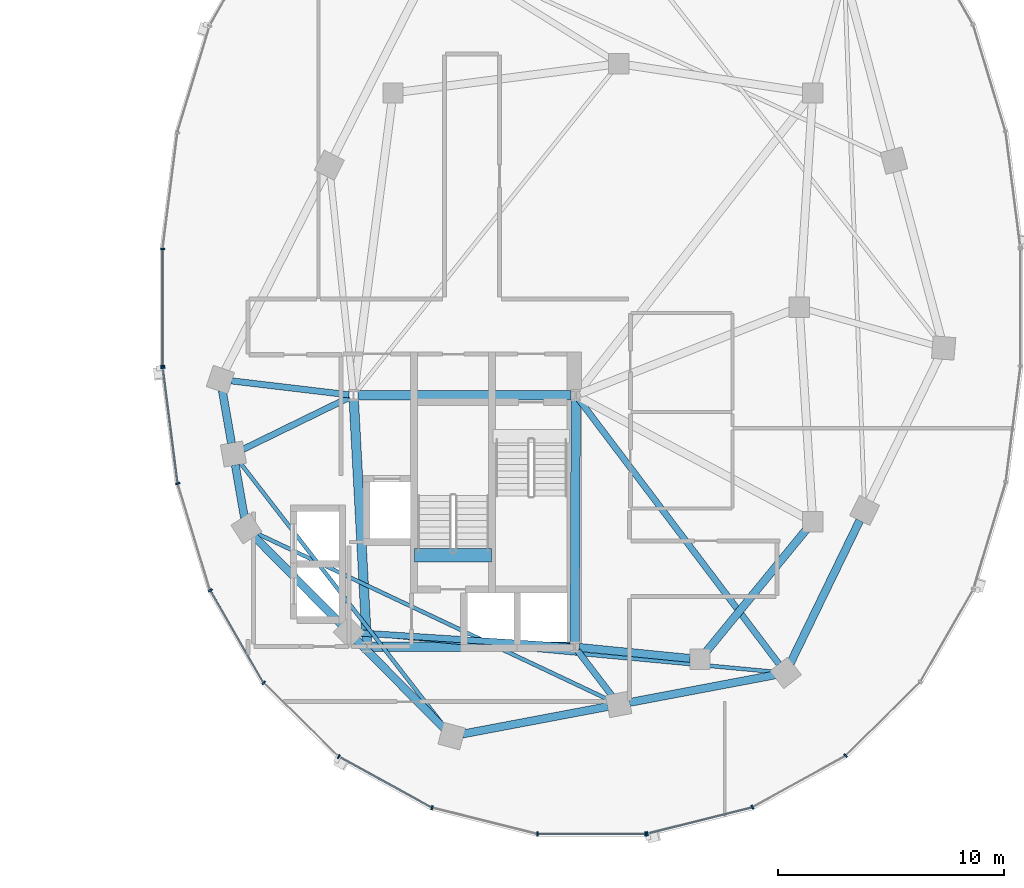
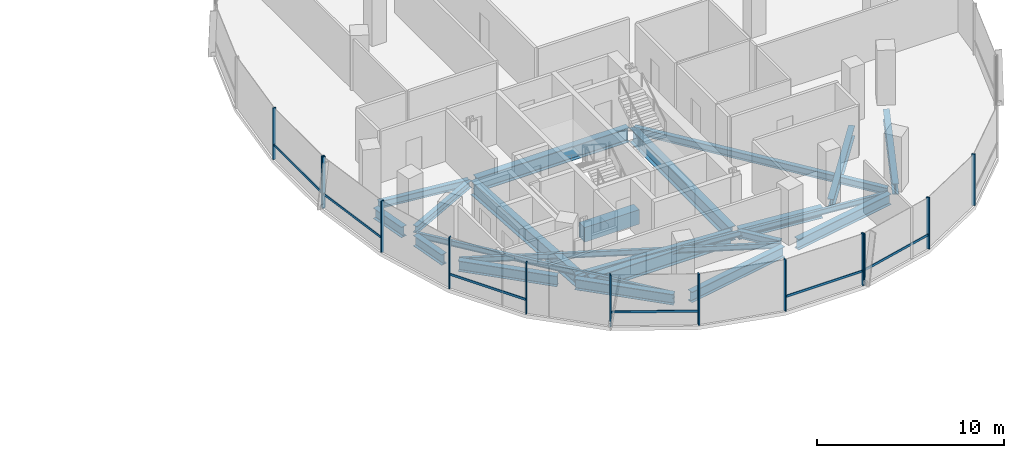
# One storey, part 6 of 22: 22 beams, 19 members, 3 elements without a shape of their own.
"""IFC4 building model written with IfcOpenShell, lengths in metres."""

from ifc_helpers import new_model, si_unit, direction, frame, origin, origin_2d, place, context, subcontext, project, spatial, rectangle, i_section, extrude, material, material_profile, profile_set, type_object, element, aggregate, save


model = new_model("IFC4")

# Units and contexts
model_context = context("Model", 3, precision=1e-05, world=origin(), true_north=direction((0.0, 1.0)))
body_context = subcontext(model_context, "Body", "Model", "MODEL_VIEW")
ifc_project = project(units=[si_unit("LENGTHUNIT", "METRE"), si_unit("AREAUNIT", "SQUARE_METRE"), si_unit("VOLUMEUNIT", "CUBIC_METRE"), si_unit("PLANEANGLEUNIT", "RADIAN"), si_unit("MASSUNIT", "GRAM", prefix="KILO"), si_unit("THERMODYNAMICTEMPERATUREUNIT", "KELVIN"), si_unit("POWERUNIT", "WATT")], contexts=[model_context])

# Site, building, storey
site_placement = place(None, origin())
site = spatial("IfcSite", under=ifc_project, at=site_placement, CompositionType="ELEMENT")
building_placement = place(site_placement, origin())
building = spatial("IfcBuilding", under=site, at=building_placement, Name="Cundina Bronze Exchange", CompositionType="ELEMENT")
storey_placement = place(building_placement, frame((0.0, 0.0, 144.0)))
storey = spatial("IfcBuildingStorey", under=building, at=storey_placement, Name="L37", CompositionType="ELEMENT", Elevation=144.0)

# Beams
ifc_material_1 = material(Name="Concrete C60/75", Category="concrete")
ifc_material_profile_1 = material_profile(ifc_material_1, rectangle(XDim=0.60009765625, YDim=0.949951171875, at=origin_2d()), Name="RC600X950", Category="concrete")
ifc_profile_set_1 = profile_set([ifc_material_profile_1], Name="Concrete C60/75")
beam_type_1 = type_object("IfcBeamType", Name="BM-COUP-RC950", PredefinedType="LINTEL", material=ifc_profile_set_1)
beam_1_placement = place(storey_placement, frame((24.159912109375, -10.97998046875, -0.47509765625), z_axis=(1.0, 0.0, 0.0), x_axis=(0.0, 1.0, 0.0)))
element("IfcBeam", 1, at=beam_1_placement, inside=storey, type_object=beam_type_1, Name="L37 Stair E2 Landing Header Beam", PredefinedType="LINTEL", context=body_context, shape_type="SweptSolid", body=[
    extrude(rectangle(XDim=0.60009765625, YDim=0.949951171875, at=origin_2d()), origin(), (0.0, 0.0, 1.0), 3.400146484375),
])
ifc_material_2 = material(Name="Steel ASTM A992 Grade 50", Category="steel")
ifc_material_profile_2 = material_profile(ifc_material_2, i_section(OverallWidth=0.280029296875, OverallDepth=0.462890625, WebThickness=0.0107421875, FlangeThickness=0.017333984375, FilletRadius=0.011962890625, at=origin_2d()), Name="W18X76", Category="steel")
ifc_profile_set_2 = profile_set([ifc_material_profile_2], Name="Steel ASTM A992 Grade 50")
beam_type_2 = type_object("IfcBeamType", Name="BM-FLR-W18A", PredefinedType="BEAM", material=ifc_profile_set_2)
beam_2_placement = place(storey_placement, frame((21.247314453125, -3.8759765625, -0.471435546875), z_axis=(-0.993036158382, 0.11780996624, 0.0), x_axis=(-0.11780996624, -0.993036158382, 0.0)))
element("IfcBeam", 2, at=beam_2_placement, inside=storey, type_object=beam_type_2, Name="L37 Leg E Chordal Floor Beam 00", PredefinedType="BEAM", context=body_context, shape_type="SweptSolid", body=[
    extrude(i_section(OverallWidth=0.280029296875, OverallDepth=0.462890625, WebThickness=0.0107421875, FlangeThickness=0.017333984375, FilletRadius=0.011962890625, at=origin_2d()), origin(), (0.0, 0.0, 1.0), 5.249267578125),
])
beam_3_placement = place(storey_placement, frame((21.2666015625, -3.989501953125, -0.471435546875), z_axis=(-0.898604300669, -0.438759969481, 0.0), x_axis=(0.438759969481, -0.898604300669, 0.0)))
element("IfcBeam", 3, at=beam_3_placement, inside=storey, type_object=beam_type_2, Name="L37 Leg E Chordal Floor Beam 01", PredefinedType="BEAM", context=body_context, shape_type="SweptSolid", body=[
    extrude(i_section(OverallWidth=0.280029296875, OverallDepth=0.462890625, WebThickness=0.0107421875, FlangeThickness=0.017333984375, FilletRadius=0.011962890625, at=origin_2d()), origin(), (0.0, 0.0, 1.0), 5.23388671875),
])
beam_4_placement = place(storey_placement, frame((31.04638671875, -15.036865234375, -0.471435546875), z_axis=(-0.99789334888, 0.064875760192, 0.0), x_axis=(-0.064875760192, -0.99789334888, 0.0)))
element("IfcBeam", 4, at=beam_4_placement, inside=storey, type_object=beam_type_2, Name="L37 Leg E Chordal Floor Beam 03", PredefinedType="BEAM", context=body_context, shape_type="SweptSolid", body=[
    extrude(i_section(OverallWidth=0.280029296875, OverallDepth=0.462890625, WebThickness=0.0107421875, FlangeThickness=0.017333984375, FilletRadius=0.011962890625, at=origin_2d()), origin(), (0.0, 0.0, 1.0), 9.328857421875),
])
beam_5_placement = place(storey_placement, frame((31.373779296875, -15.2119140625, -0.471435546875), z_axis=(0.607450107571, -0.794357832977, 0.0), x_axis=(0.794357832977, 0.607450107571, 0.0)))
element("IfcBeam", 5, at=beam_5_placement, inside=storey, type_object=beam_type_2, Name="L37 Leg E Chordal Floor Beam 05", PredefinedType="BEAM", context=body_context, shape_type="SweptSolid", body=[
    extrude(i_section(OverallWidth=0.280029296875, OverallDepth=0.462890625, WebThickness=0.0107421875, FlangeThickness=0.017333984375, FilletRadius=0.011962890625, at=origin_2d()), origin(), (0.0, 0.0, 1.0), 2.518310546875),
])
beam_6_placement = place(storey_placement, frame((31.423095703125, -4.062744140625, -0.471435546875), z_axis=(0.603103901721, -0.797662637792, 0.0), x_axis=(0.797662637792, 0.603103901721, 0.0)))
element("IfcBeam", 6, at=beam_6_placement, inside=storey, type_object=beam_type_2, Name="L37 Leg E Chordal Floor Beam 06", PredefinedType="BEAM", context=body_context, shape_type="SweptSolid", body=[
    extrude(i_section(OverallWidth=0.280029296875, OverallDepth=0.462890625, WebThickness=0.0107421875, FlangeThickness=0.017333984375, FilletRadius=0.011962890625, at=origin_2d()), origin(), (0.0, 0.0, 1.0), 14.72802734375),
])
ifc_material_profile_3 = material_profile(ifc_material_2, i_section(OverallWidth=0.172119140625, OverallDepth=0.35791015625, WebThickness=0.0078125, FlangeThickness=0.01318359375, FilletRadius=0.010009765625, at=origin_2d()), Name="W14X38", Category="steel")
ifc_profile_set_3 = profile_set([ifc_material_profile_3], Name="Steel ASTM A992 Grade 50")
beam_type_3 = type_object("IfcBeamType", Name="BM-JST-W14", PredefinedType="JOIST", material=ifc_profile_set_3)
beam_7_placement = place(storey_placement, frame((16.423583984375, -6.885986328125, -0.4189453125), z_axis=(0.61208354334, -0.790793105668, 0.0), x_axis=(0.790793105668, 0.61208354334, 0.0)))
element("IfcBeam", 7, at=beam_7_placement, inside=storey, type_object=beam_type_3, Name="L37 Leg E Lobe Floor Joist 01-04", PredefinedType="JOIST", context=body_context, shape_type="SweptSolid", body=[
    extrude(i_section(OverallWidth=0.172119140625, OverallDepth=0.35791015625, WebThickness=0.0078125, FlangeThickness=0.01318359375, FilletRadius=0.010009765625, at=origin_2d()), origin(), (0.0, 0.0, 1.0), 14.830810546875),
])
beam_8_placement = place(storey_placement, frame((17.14111328125, -10.008544921875, -0.4189453125), z_axis=(0.904074252188, -0.427375416385, 0.0), x_axis=(0.427375416385, 0.904074252188, 0.0)))
element("IfcBeam", 8, at=beam_8_placement, inside=storey, type_object=beam_type_3, Name="L37 Leg E Lobe Floor Joist 02-05", PredefinedType="JOIST", context=body_context, shape_type="SweptSolid", body=[
    extrude(i_section(OverallWidth=0.172119140625, OverallDepth=0.35791015625, WebThickness=0.0078125, FlangeThickness=0.01318359375, FilletRadius=0.010009765625, at=origin_2d()), origin(), (0.0, 0.0, 1.0), 17.274658203125),
])
beam_9_placement = place(storey_placement, frame((21.73583984375, -14.4453125, -0.4189453125), z_axis=(0.995701840093, -0.092616659595, 0.0), x_axis=(0.092616659595, 0.995701840093, 0.0)))
element("IfcBeam", 9, at=beam_9_placement, inside=storey, type_object=beam_type_3, Name="L37 Leg E Lobe Floor Joist 03-06", PredefinedType="JOIST", context=body_context, shape_type="SweptSolid", body=[
    extrude(i_section(OverallWidth=0.172119140625, OverallDepth=0.35791015625, WebThickness=0.0078125, FlangeThickness=0.01318359375, FilletRadius=0.010009765625, at=origin_2d()), origin(), (0.0, 0.0, 1.0), 18.45751953125),
])
ifc_material_profile_4 = material_profile(ifc_material_2, i_section(OverallWidth=0.35498046875, OverallDepth=0.695068359375, WebThickness=0.015380859375, FlangeThickness=0.02490234375, FilletRadius=0.01806640625, at=origin_2d()), Name="W27X146", Category="steel")
ifc_profile_set_4 = profile_set([ifc_material_profile_4], Name="Steel ASTM A992 Grade 50")
beam_type_4 = type_object("IfcBeamType", Name="BM-RING-W27", PredefinedType="USERDEFINED", material=ifc_profile_set_4)
beam_10_placement = place(storey_placement, frame((31.452880859375, -15.070068359375, -0.58740234375), z_axis=(0.995123020608, -0.098641643622, 0.0), x_axis=(0.098641643622, 0.995123020608, 0.0)))
element("IfcBeam", 10, at=beam_10_placement, inside=storey, type_object=beam_type_4, Name="L37 E Inner Structural Ring Girder 01", ObjectType="GIRDER", PredefinedType="USERDEFINED", context=body_context, shape_type="SweptSolid", body=[
    extrude(i_section(OverallWidth=0.35498046875, OverallDepth=0.695068359375, WebThickness=0.015380859375, FlangeThickness=0.02490234375, FilletRadius=0.01806640625, at=origin_2d()), origin(), (0.0, 0.0, 1.0), 4.935302734375),
])
beam_11_placement = place(storey_placement, frame((37.07763671875, -15.26123046875, -0.58740234375), z_axis=(0.633912590175, 0.77340469873, 0.0), x_axis=(-0.77340469873, 0.633912590175, 0.0)))
element("IfcBeam", 11, at=beam_11_placement, inside=storey, type_object=beam_type_4, Name="L37 E Inner Structural Ring Girder 02", ObjectType="GIRDER", PredefinedType="USERDEFINED", context=body_context, shape_type="SweptSolid", body=[
    extrude(i_section(OverallWidth=0.35498046875, OverallDepth=0.695068359375, WebThickness=0.015380859375, FlangeThickness=0.02490234375, FilletRadius=0.01806640625, at=origin_2d()), origin(), (0.0, 0.0, 1.0), 7.01123046875),
])
for number, where, z_axis, x_axis, name in (
    (12, (15.6337890625, -3.680908203125, -0.58740234375), (0.171666718895, -0.985155083032, 0.0), (0.985155083032, 0.171666718895, 0.0), "L37 E Perimeter Ring Girder 00"),
    (13, (16.208740234375, -6.980712890625, -0.58740234375), (0.171666718895, -0.985155083032, 0.0), (0.985155083032, 0.171666718895, 0.0), "L37 E Perimeter Ring Girder 01"),
):
    element("IfcBeam", number, at=place(storey_placement, frame(where, z_axis=z_axis, x_axis=x_axis)), inside=storey, type_object=beam_type_4, Name=name, ObjectType="GIRDER", PredefinedType="USERDEFINED", context=body_context, shape_type="SweptSolid", body=[
        extrude(i_section(OverallWidth=0.35498046875, OverallDepth=0.695068359375, WebThickness=0.015380859375, FlangeThickness=0.02490234375, FilletRadius=0.01806640625, at=origin_2d()), origin(), (0.0, 0.0, 1.0), 2.37353515625),
    ])
beam_12_placement = place(storey_placement, frame((17.043212890625, -10.14697265625, -0.58740234375), z_axis=(0.703230112979, -0.710962311378, 0.0), x_axis=(0.710962311378, 0.703230112979, 0.0)))
element("IfcBeam", 14, at=beam_12_placement, inside=storey, type_object=beam_type_4, Name="L37 E Perimeter Ring Girder 02", ObjectType="GIRDER", PredefinedType="USERDEFINED", context=body_context, shape_type="SweptSolid", body=[
    extrude(i_section(OverallWidth=0.35498046875, OverallDepth=0.695068359375, WebThickness=0.015380859375, FlangeThickness=0.02490234375, FilletRadius=0.01806640625, at=origin_2d()), origin(), (0.0, 0.0, 1.0), 5.493896484375),
])
beam_13_placement = place(storey_placement, frame((21.59326171875, -14.746826171875, -0.58740234375), z_axis=(0.703207895705, -0.710984286337, 0.0), x_axis=(0.710984286337, 0.703207895705, 0.0)))
element("IfcBeam", 15, at=beam_13_placement, inside=storey, type_object=beam_type_4, Name="L37 E Perimeter Ring Girder 03", ObjectType="GIRDER", PredefinedType="USERDEFINED", context=body_context, shape_type="SweptSolid", body=[
    extrude(i_section(OverallWidth=0.35498046875, OverallDepth=0.695068359375, WebThickness=0.015380859375, FlangeThickness=0.02490234375, FilletRadius=0.01806640625, at=origin_2d()), origin(), (0.0, 0.0, 1.0), 5.494140625),
])
beam_14_placement = place(storey_placement, frame((26.279541015625, -18.9091796875, -0.58740234375), z_axis=(0.982571532667, 0.185884865421, 0.0), x_axis=(-0.185884865421, 0.982571532667, 0.0)))
element("IfcBeam", 16, at=beam_14_placement, inside=storey, type_object=beam_type_4, Name="L37 E Perimeter Ring Girder 04", ObjectType="GIRDER", PredefinedType="USERDEFINED", context=body_context, shape_type="SweptSolid", body=[
    extrude(i_section(OverallWidth=0.35498046875, OverallDepth=0.695068359375, WebThickness=0.015380859375, FlangeThickness=0.02490234375, FilletRadius=0.01806640625, at=origin_2d()), origin(), (0.0, 0.0, 1.0), 6.55517578125),
])
beam_15_placement = place(storey_placement, frame((33.679443359375, -17.50927734375, -0.58740234375), z_axis=(0.982572819495, 0.185878063226, 0.0), x_axis=(-0.185878063226, 0.982572819495, 0.0)))
element("IfcBeam", 17, at=beam_15_placement, inside=storey, type_object=beam_type_4, Name="L37 E Perimeter Ring Girder 05", ObjectType="GIRDER", PredefinedType="USERDEFINED", context=body_context, shape_type="SweptSolid", body=[
    extrude(i_section(OverallWidth=0.35498046875, OverallDepth=0.695068359375, WebThickness=0.015380859375, FlangeThickness=0.02490234375, FilletRadius=0.01806640625, at=origin_2d()), origin(), (0.0, 0.0, 1.0), 6.555419921875),
])
beam_16_placement = place(storey_placement, frame((40.8134765625, -15.760986328125, -0.58740234375), z_axis=(0.437196998825, 0.89936576776, 0.0), x_axis=(-0.89936576776, 0.437196998825, 0.0)))
element("IfcBeam", 18, at=beam_16_placement, inside=storey, type_object=beam_type_4, Name="L37 E Perimeter Ring Girder 06", ObjectType="GIRDER", PredefinedType="USERDEFINED", context=body_context, shape_type="SweptSolid", body=[
    extrude(i_section(OverallWidth=0.35498046875, OverallDepth=0.695068359375, WebThickness=0.015380859375, FlangeThickness=0.02490234375, FilletRadius=0.01806640625, at=origin_2d()), origin(), (0.0, 0.0, 1.0), 7.029541015625),
])
ifc_material_profile_5 = material_profile(ifc_material_2, i_section(OverallWidth=0.41796875, OverallDepth=0.927001953125, WebThickness=0.019287109375, FlangeThickness=0.031982421875, FilletRadius=0.02392578125, at=origin_2d()), Name="W36X231", Category="steel")
ifc_profile_set_5 = profile_set([ifc_material_profile_5], Name="Steel ASTM A992 Grade 50")
beam_type_5 = type_object("IfcBeamType", Name="BM-WRN-W36B", PredefinedType="USERDEFINED", material=ifc_profile_set_5)
beam_17_placement = place(storey_placement, frame((31.095947265625, -3.89990234375, -0.70361328125), z_axis=(-1.0, 0.0, 0.0), x_axis=(0.0, -1.0, 0.0)))
element("IfcBeam", 19, at=beam_17_placement, inside=storey, type_object=beam_type_5, Name="L37 E Core Perimeter Tie Girder 1", ObjectType="GIRDER", PredefinedType="USERDEFINED", context=body_context, shape_type="SweptSolid", body=[
    extrude(i_section(OverallWidth=0.41796875, OverallDepth=0.927001953125, WebThickness=0.019287109375, FlangeThickness=0.031982421875, FilletRadius=0.02392578125, at=origin_2d()), origin(), (0.0, 0.0, 1.0), 9.44189453125),
])
beam_18_placement = place(storey_placement, frame((21.4609375, -4.103759765625, -0.70361328125), z_axis=(0.053739193498, -0.998555005537, 0.0), x_axis=(0.998555005537, 0.053739193498, 0.0)))
element("IfcBeam", 20, at=beam_18_placement, inside=storey, type_object=beam_type_5, Name="L37 E Core Perimeter Tie Girder 2", ObjectType="GIRDER", PredefinedType="USERDEFINED", context=body_context, shape_type="SweptSolid", body=[
    extrude(i_section(OverallWidth=0.41796875, OverallDepth=0.927001953125, WebThickness=0.019287109375, FlangeThickness=0.031982421875, FilletRadius=0.02392578125, at=origin_2d()), origin(), (0.0, 0.0, 1.0), 10.758056640625),
])
beam_19_placement = place(storey_placement, frame((22.25390625, -15.050048828125, -0.70361328125), z_axis=(1.0, 0.0, 0.0), x_axis=(0.0, 1.0, 0.0)))
element("IfcBeam", 21, at=beam_19_placement, inside=storey, type_object=beam_type_5, Name="L37 E Core Perimeter Tie Girder 3", ObjectType="GIRDER", PredefinedType="USERDEFINED", context=body_context, shape_type="SweptSolid", body=[
    extrude(i_section(OverallWidth=0.41796875, OverallDepth=0.927001953125, WebThickness=0.019287109375, FlangeThickness=0.031982421875, FilletRadius=0.02392578125, at=origin_2d()), origin(), (0.0, 0.0, 1.0), 8.7919921875),
])
beam_20_placement = place(storey_placement, frame((31.2509765625, -14.845947265625, -0.70361328125), z_axis=(0.004477329608, 0.99998997671, 0.0), x_axis=(-0.99998997671, 0.004477329608, 0.0)))
element("IfcBeam", 22, at=beam_20_placement, inside=storey, type_object=beam_type_5, Name="L37 E Core Perimeter Tie Girder 4", ObjectType="GIRDER", PredefinedType="USERDEFINED", context=body_context, shape_type="SweptSolid", body=[
    extrude(i_section(OverallWidth=0.41796875, OverallDepth=0.927001953125, WebThickness=0.019287109375, FlangeThickness=0.031982421875, FilletRadius=0.02392578125, at=origin_2d()), origin(), (0.0, 0.0, 1.0), 10.741943359375),
])

# Curtain wall, members
ifc_material_3 = material(Name="Anodised Bronze Aluminium 6063-T6", Category="aluminium")
curtain_wall_type = type_object("IfcCurtainWallType", Name="CWS-WST-PIN", PredefinedType="NOTDEFINED", material=ifc_material_3)
curtain_wall_1_placement = place(storey_placement, origin())
curtain_wall_1 = element("IfcCurtainWall", 23, at=curtain_wall_1_placement, inside=storey, type_object=curtain_wall_type, Name="L37 CW-04 Curtain Wall Run CWR-L37-E2", PredefinedType="NOTDEFINED")
ifc_material_profile_6 = material_profile(ifc_material_3, rectangle(XDim=0.070068359375, YDim=0.18994140625, at=origin_2d()), Name="AL70X190", Category="aluminium")
ifc_profile_set_6 = profile_set([ifc_material_profile_6], Name="Anodised Bronze Aluminium 6063-T6")
member_type_1 = type_object("IfcMemberType", Name="CWM-MUL-190", PredefinedType="MULLION", material=ifc_profile_set_6)
member_1_placement = place(storey_placement, frame((12.992919921875, 2.593017578125, 0.0), z_axis=(0.0, 0.0, 1.0), x_axis=(0.0, -1.0, 0.0)))
member_1 = element("IfcMember", 24, at=member_1_placement, type_object=member_type_1, Name="CW-04 Mullion 7", PredefinedType="MULLION", context=body_context, shape_type="SweptSolid", body=[
    extrude(rectangle(XDim=0.070068359375, YDim=0.18994140625, at=origin_2d()), origin(), (0.0, 0.0, 1.0), 3.360107421875),
])
member_2_placement = place(storey_placement, frame((12.992919921875, -2.593017578125, 0.0), z_axis=(0.0, 0.0, 1.0), x_axis=(0.0, -1.0, 0.0)))
member_2 = element("IfcMember", 25, at=member_2_placement, type_object=member_type_1, Name="CW-04 End Mullion", PredefinedType="MULLION", context=body_context, shape_type="SweptSolid", body=[
    extrude(rectangle(XDim=0.070068359375, YDim=0.18994140625, at=origin_2d()), origin(), (0.0, 0.0, 1.0), 3.360107421875),
])

curtain_wall_2_placement = place(storey_placement, origin())
curtain_wall_2 = element("IfcCurtainWall", 26, at=curtain_wall_2_placement, inside=storey, type_object=curtain_wall_type, Name="L37 CW-04 Curtain Wall Run CWR-L37-E3", PredefinedType="NOTDEFINED")
member_3_placement = place(storey_placement, frame((12.998291015625, -2.676025390625, 0.0), z_axis=(0.0, 0.0, 1.0), x_axis=(0.126545236492, -0.991960837494, 0.0)))
member_3 = element("IfcMember", 27, at=member_3_placement, type_object=member_type_1, Name="CW-04 Mullion 1", PredefinedType="MULLION", context=body_context, shape_type="SweptSolid", body=[
    extrude(rectangle(XDim=0.070068359375, YDim=0.18994140625, at=origin_2d()), origin(), (0.0, 0.0, 1.0), 3.360107421875),
])
member_4_placement = place(storey_placement, frame((13.6591796875, -7.80859375, 0.0), z_axis=(0.0, 0.0, 1.0), x_axis=(0.290034140915, -0.957016299288, 0.0)))
member_4 = element("IfcMember", 28, at=member_4_placement, type_object=member_type_1, Name="CW-04 Mullion 2", PredefinedType="MULLION", context=body_context, shape_type="SweptSolid", body=[
    extrude(rectangle(XDim=0.070068359375, YDim=0.18994140625, at=origin_2d()), origin(), (0.0, 0.0, 1.0), 3.360107421875),
])
member_5_placement = place(storey_placement, frame((15.10205078125, -12.541259765625, 0.0), z_axis=(0.0, 0.0, 1.0), x_axis=(0.498487739754, -0.866896748936, 0.0)))
member_5 = element("IfcMember", 29, at=member_5_placement, type_object=member_type_1, Name="CW-04 Mullion 3", PredefinedType="MULLION", context=body_context, shape_type="SweptSolid", body=[
    extrude(rectangle(XDim=0.070068359375, YDim=0.18994140625, at=origin_2d()), origin(), (0.0, 0.0, 1.0), 3.360107421875),
])
member_6_placement = place(storey_placement, frame((17.469482421875, -16.640380859375, 0.0), z_axis=(0.0, 0.0, 1.0), x_axis=(0.712026045991, -0.702153052995, 0.0)))
member_6 = element("IfcMember", 30, at=member_6_placement, type_object=member_type_1, Name="CW-04 Mullion 4", PredefinedType="MULLION", context=body_context, shape_type="SweptSolid", body=[
    extrude(rectangle(XDim=0.070068359375, YDim=0.18994140625, at=origin_2d()), origin(), (0.0, 0.0, 1.0), 3.360107421875),
])
member_7_placement = place(storey_placement, frame((20.79345703125, -19.906005859375, 0.0), z_axis=(0.0, 0.0, 1.0), x_axis=(0.875885937035, -0.482518212408, 0.0)))
member_7 = element("IfcMember", 31, at=member_7_placement, type_object=member_type_1, Name="CW-04 Mullion 5", PredefinedType="MULLION", context=body_context, shape_type="SweptSolid", body=[
    extrude(rectangle(XDim=0.070068359375, YDim=0.18994140625, at=origin_2d()), origin(), (0.0, 0.0, 1.0), 3.360107421875),
])
member_8_placement = place(storey_placement, frame((24.932373046875, -22.17626953125, 0.0), z_axis=(0.0, 0.0, 1.0), x_axis=(0.970084240161, -0.242768546132, 0.0)))
member_8 = element("IfcMember", 32, at=member_8_placement, type_object=member_type_1, Name="CW-04 Mullion 6", PredefinedType="MULLION", context=body_context, shape_type="SweptSolid", body=[
    extrude(rectangle(XDim=0.070068359375, YDim=0.18994140625, at=origin_2d()), origin(), (0.0, 0.0, 1.0), 3.360107421875),
])
member_9_placement = place(storey_placement, frame((29.60595703125, -23.3369140625, 0.0), z_axis=(0.0, 0.0, 1.0), x_axis=(1.0, 0.0, 0.0)))
member_9 = element("IfcMember", 33, at=member_9_placement, type_object=member_type_1, Name="CW-04 Mullion 7", PredefinedType="MULLION", context=body_context, shape_type="SweptSolid", body=[
    extrude(rectangle(XDim=0.070068359375, YDim=0.18994140625, at=origin_2d()), origin(), (0.0, 0.0, 1.0), 3.360107421875),
])
member_10_placement = place(storey_placement, frame((34.39404296875, -23.3369140625, 0.0), z_axis=(0.0, 0.0, 1.0), x_axis=(1.0, 0.0, 0.0)))
member_10 = element("IfcMember", 34, at=member_10_placement, type_object=member_type_1, Name="CW-04 End Mullion", PredefinedType="MULLION", context=body_context, shape_type="SweptSolid", body=[
    extrude(rectangle(XDim=0.070068359375, YDim=0.18994140625, at=origin_2d()), origin(), (0.0, 0.0, 1.0), 3.360107421875),
])

curtain_wall_3_placement = place(storey_placement, origin())
curtain_wall_3 = element("IfcCurtainWall", 35, at=curtain_wall_3_placement, inside=storey, type_object=curtain_wall_type, Name="L37 CW-04 Curtain Wall Run CWR-L37-E4", PredefinedType="NOTDEFINED")
member_11_placement = place(storey_placement, frame((34.462646484375, -23.32861328125, 0.0), z_axis=(0.0, 0.0, 1.0), x_axis=(0.970084240161, 0.242768546132, 0.0)))
member_11 = element("IfcMember", 36, at=member_11_placement, type_object=member_type_1, Name="CW-04 Mullion 1", PredefinedType="MULLION", context=body_context, shape_type="SweptSolid", body=[
    extrude(rectangle(XDim=0.070068359375, YDim=0.18994140625, at=origin_2d()), origin(), (0.0, 0.0, 1.0), 3.360107421875),
])
member_12_placement = place(storey_placement, frame((39.13037109375, -22.151611328125, 0.0), z_axis=(0.0, 0.0, 1.0), x_axis=(0.875885937035, 0.482518212408, 0.0)))
member_12 = element("IfcMember", 37, at=member_12_placement, type_object=member_type_1, Name="CW-04 Mullion 2", PredefinedType="MULLION", context=body_context, shape_type="SweptSolid", body=[
    extrude(rectangle(XDim=0.070068359375, YDim=0.18994140625, at=origin_2d()), origin(), (0.0, 0.0, 1.0), 3.360107421875),
])
member_13_placement = place(storey_placement, frame((43.259033203125, -19.86669921875, 0.0), z_axis=(0.0, 0.0, 1.0), x_axis=(0.712026045991, 0.702153052995, 0.0)))
member_13 = element("IfcMember", 38, at=member_13_placement, type_object=member_type_1, Name="CW-04 Mullion 3", PredefinedType="MULLION", context=body_context, shape_type="SweptSolid", body=[
    extrude(rectangle(XDim=0.070068359375, YDim=0.18994140625, at=origin_2d()), origin(), (0.0, 0.0, 1.0), 3.360107421875),
])

# Member
ifc_material_profile_7 = material_profile(ifc_material_3, rectangle(XDim=0.06494140625, YDim=0.14990234375, at=origin_2d()), Name="AL65X150", Category="aluminium")
ifc_profile_set_7 = profile_set([ifc_material_profile_7], Name="Anodised Bronze Aluminium 6063-T6")
member_type_2 = type_object("IfcMemberType", Name="CWM-TRN-150", PredefinedType="USERDEFINED", material=ifc_profile_set_7)
member_14_placement = place(storey_placement, frame((12.992919921875, 2.554443359375, 0.919921875), z_axis=(0.0, -1.0, 0.0), x_axis=(1.0, 0.0, 0.0)))
member_14 = element("IfcMember", 39, at=member_14_placement, type_object=member_type_2, Name="CW-04 Spandrel Transom 7", ObjectType="TRANSOM", PredefinedType="USERDEFINED", context=body_context, shape_type="SweptSolid", body=[
    extrude(rectangle(XDim=0.06494140625, YDim=0.14990234375, at=origin_2d()), origin(), (0.0, 0.0, 1.0), 5.10888671875),
])

aggregate(curtain_wall_1, [member_1, member_2, member_14])

member_15_placement = place(storey_placement, frame((13.003173828125, -2.71435546875, 0.919921875), z_axis=(0.12646340362, -0.991971273548, 0.0), x_axis=(0.991971273548, 0.12646340362, 0.0)))
member_15 = element("IfcMember", 40, at=member_15_placement, type_object=member_type_2, Name="CW-04 Spandrel Transom 1", ObjectType="TRANSOM", PredefinedType="USERDEFINED", context=body_context, shape_type="SweptSolid", body=[
    extrude(rectangle(XDim=0.06494140625, YDim=0.14990234375, at=origin_2d()), origin(), (0.0, 0.0, 1.0), 5.0966796875),
])

member_16_placement = place(storey_placement, frame((15.121337890625, -12.574462890625, 0.919921875), z_axis=(0.498479967047, -0.866901218394, 0.0), x_axis=(0.866901218394, 0.498479967047, 0.0)))
member_16 = element("IfcMember", 41, at=member_16_placement, type_object=member_type_2, Name="CW-04 Spandrel Transom 3", ObjectType="TRANSOM", PredefinedType="USERDEFINED", context=body_context, shape_type="SweptSolid", body=[
    extrude(rectangle(XDim=0.06494140625, YDim=0.14990234375, at=origin_2d()), origin(), (0.0, 0.0, 1.0), 4.66845703125),
])

member_17_placement = place(storey_placement, frame((20.8271484375, -19.924560546875, 0.919921875), z_axis=(0.875878981549, -0.482530838062, 0.0), x_axis=(0.482530838062, 0.875878981549, 0.0)))
member_17 = element("IfcMember", 42, at=member_17_placement, type_object=member_type_2, Name="CW-04 Spandrel Transom 5", ObjectType="TRANSOM", PredefinedType="USERDEFINED", context=body_context, shape_type="SweptSolid", body=[
    extrude(rectangle(XDim=0.06494140625, YDim=0.14990234375, at=origin_2d()), origin(), (0.0, 0.0, 1.0), 4.65380859375),
])

member_18_placement = place(storey_placement, frame((29.64453125, -23.3369140625, 0.919921875), z_axis=(1.0, 0.0, 0.0), x_axis=(0.0, 1.0, 0.0)))
member_18 = element("IfcMember", 43, at=member_18_placement, type_object=member_type_2, Name="CW-04 Spandrel Transom 7", ObjectType="TRANSOM", PredefinedType="USERDEFINED", context=body_context, shape_type="SweptSolid", body=[
    extrude(rectangle(XDim=0.06494140625, YDim=0.14990234375, at=origin_2d()), origin(), (0.0, 0.0, 1.0), 4.7109375),
])

aggregate(curtain_wall_2, [member_3, member_15, member_4, member_5, member_16, member_6, member_7, member_17, member_8, member_9, member_10, member_18])

member_19_placement = place(storey_placement, frame((34.5, -23.319091796875, 0.919921875), z_axis=(0.970100130035, 0.242705042606, 0.0), x_axis=(-0.242705042606, 0.970100130035, 0.0)))
member_19 = element("IfcMember", 44, at=member_19_placement, type_object=member_type_2, Name="CW-04 Spandrel Transom 1", ObjectType="TRANSOM", PredefinedType="USERDEFINED", context=body_context, shape_type="SweptSolid", body=[
    extrude(rectangle(XDim=0.06494140625, YDim=0.14990234375, at=origin_2d()), origin(), (0.0, 0.0, 1.0), 4.746826171875),
])

aggregate(curtain_wall_3, [member_11, member_19, member_12, member_13])

save(model, "model.ifc")
